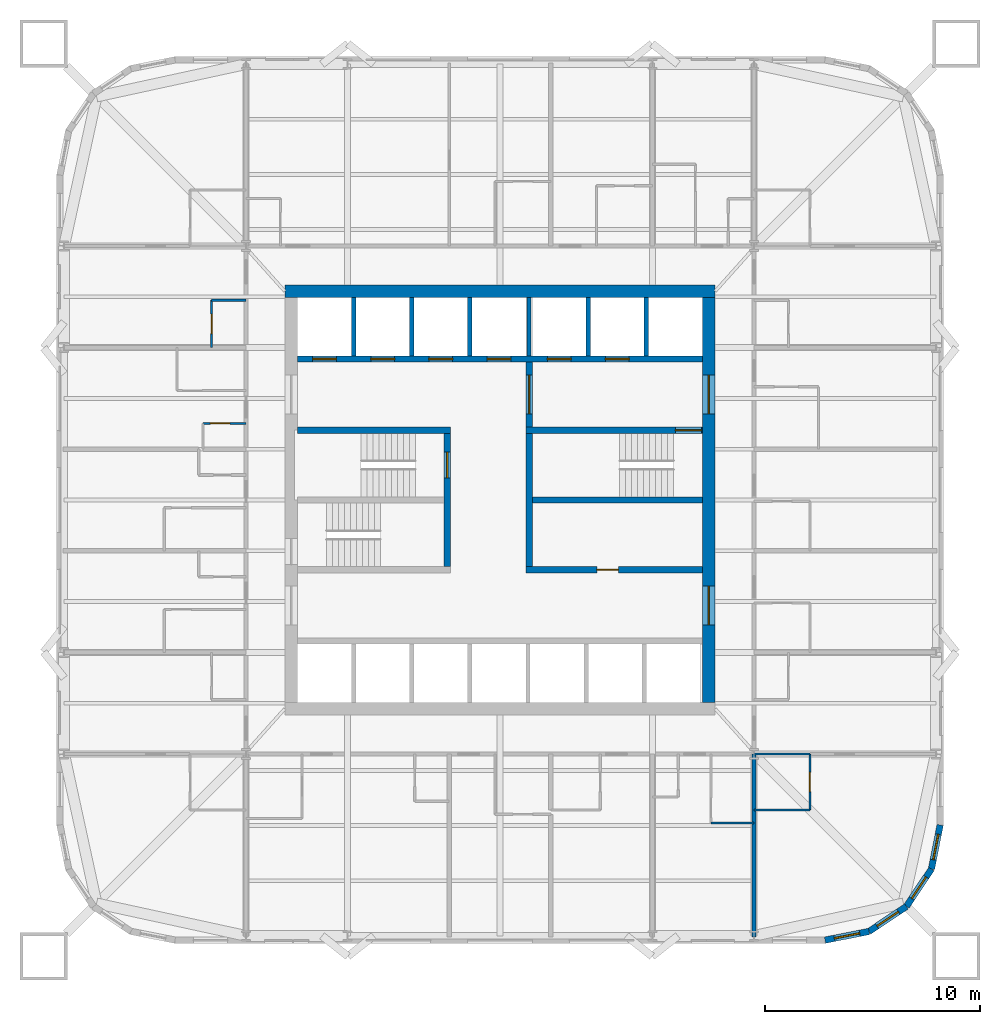
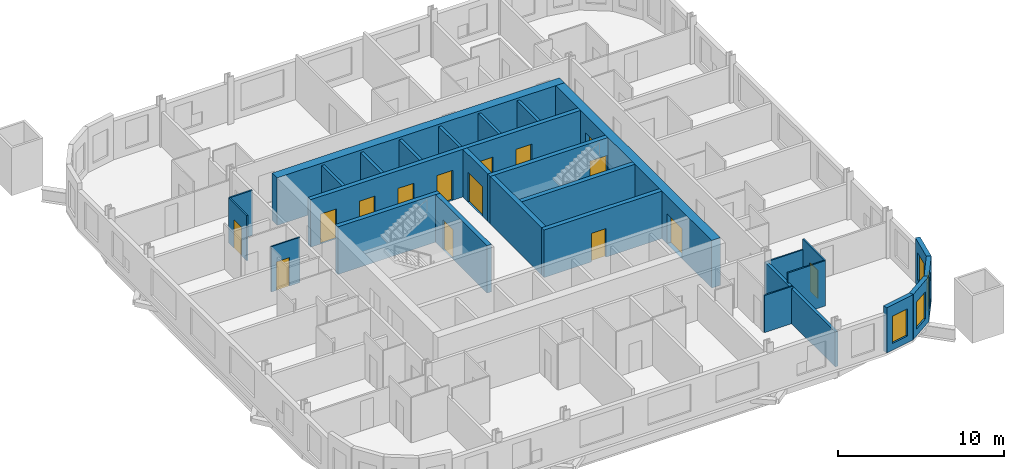
# One storey, part 5 of 9: 27 walls, 15 doors, 4 windows, 19 openings.
"""IFC4 building model written with IfcOpenShell, lengths in metres."""

from ifc_helpers import new_model, si_unit, direction, frame, frame_2d, origin, place, context, subcontext, project, spatial, rectangle, extrude, material, layer, layer_set, type_object, element, fill, save


model = new_model("IFC4")

# Units and contexts
model_context = context("Model", 3, precision=1e-05, world=origin(), true_north=direction((0.0, 1.0)))
body_context = subcontext(model_context, "Body", "Model", "MODEL_VIEW")
ifc_project = project(units=[si_unit("LENGTHUNIT", "METRE"), si_unit("AREAUNIT", "SQUARE_METRE"), si_unit("VOLUMEUNIT", "CUBIC_METRE"), si_unit("PLANEANGLEUNIT", "RADIAN"), si_unit("MASSUNIT", "GRAM", prefix="KILO")], contexts=[model_context])

# Site, building, storey
site_placement = place(None, origin())
site = spatial("IfcSite", under=ifc_project, at=site_placement, CompositionType="ELEMENT")
building_placement = place(site_placement, origin())
building = spatial("IfcBuilding", under=site, at=building_placement, Name="Turquesa Mirador Hotel Tower", CompositionType="ELEMENT")
storey_placement = place(building_placement, frame((0.0, 0.0, 135.39990234375)))
storey = spatial("IfcBuildingStorey", under=building, at=storey_placement, Name="L36", CompositionType="ELEMENT", Elevation=135.39990234375)

# Walls
ifc_material_1 = material(Name="Gypsum board on steel studs", Category="steel")
ifc_layer_1 = layer(ifc_material_1, 0.10009765625)
ifc_layer_set_1 = layer_set([ifc_layer_1], Name="BATHROOM WALL 100")
wall_type_1 = type_object("IfcWallType", Name="BATHROOM WALL 100", PredefinedType="PARTITIONING", material=ifc_layer_set_1)
wall_1_placement = place(storey_placement, frame((66.800048828125, 33.199951171875, 0.0), z_axis=(0.0, 0.0, 1.0), x_axis=(1.0, 0.0, 0.0)))
element("IfcWall", 1, at=wall_1_placement, inside=storey, type_object=wall_type_1, Name="Partition L36 004", PredefinedType="PARTITIONING", context=body_context, shape_type="SweptSolid", body=[
    extrude(rectangle(XDim=2.599853515625, YDim=0.10009765625, at=frame_2d((1.2998046875, 0.0))), origin(), (0.0, 0.0, 1.0), 2.5732421875),
])
wall_2_placement = place(storey_placement, frame((66.800048828125, 30.60009765625, 0.0), z_axis=(0.0, 0.0, 1.0), x_axis=(1.0, 0.0, 0.0)))
element("IfcWall", 2, at=wall_2_placement, inside=storey, type_object=wall_type_1, Name="Partition L36 012", PredefinedType="PARTITIONING", context=body_context, shape_type="SweptSolid", body=[
    extrude(rectangle(XDim=2.599853515625, YDim=0.10009765625, at=frame_2d((1.2998046875, 0.0))), origin(), (0.0, 0.0, 1.0), 3.330078125),
])
wall_3_placement = place(storey_placement, frame((64.800048828125, 30.0, 0.0), z_axis=(0.0, 0.0, 1.0), x_axis=(1.0, 0.0, 0.0)))
element("IfcWall", 3, at=wall_3_placement, inside=storey, type_object=wall_type_1, Name="Partition L36 015", PredefinedType="PARTITIONING", context=body_context, shape_type="SweptSolid", body=[
    extrude(rectangle(XDim=2.0, YDim=0.10009765625, at=frame_2d((1.0, 0.0))), origin(), (0.0, 0.0, 1.0), 2.730712890625),
])

# Wall, opening, door
wall_4_placement = place(storey_placement, frame((41.199951171875, 48.56005859375, 0.0), z_axis=(0.0, 0.0, 1.0), x_axis=(1.0, 0.0, 0.0)))
wall_4 = element("IfcWall", 4, at=wall_4_placement, inside=storey, type_object=wall_type_1, Name="Partition L36 041", PredefinedType="PARTITIONING", context=body_context, shape_type="SweptSolid", body=[
    extrude(rectangle(XDim=2.0, YDim=0.10009765625, at=frame_2d((1.0, 0.0))), origin(), (0.0, 0.0, 1.0), 3.330078125),
])
opening_1_placement = place(wall_4_placement, frame((0.35009765625, 0.0, 0.0)))
opening_1 = element("IfcOpeningElement", 5, at=opening_1_placement, cuts=wall_4, Name="Opening D06", PredefinedType="OPENING", context=body_context, shape_type="SweptSolid", body=[
    extrude(rectangle(XDim=0.89990234375, YDim=2.10009765625, at=frame_2d((0.449951171875, 1.050048828125))), frame((0.0, 0.06005859375, 0.0), z_axis=(0.0, -1.0, 0.0), x_axis=(1.0, 0.0, 0.0)), (0.0, 0.0, 1.0), 0.1201171875),
])
ifc_material_2 = material(Name="Laminate door", Category="wood")
door_type_1 = type_object("IfcDoorType", Name="DOOR 900X2100 WC", OperationType="SINGLE_SWING_LEFT", PredefinedType="DOOR", material=ifc_material_2)
door_1_placement = place(opening_1_placement, origin())
door_1 = element("IfcDoor", 6, at=door_1_placement, inside=storey, type_object=door_type_1, Name="Door 3613W", OperationType="SINGLE_SWING_LEFT", OverallHeight=2.10009765625, OverallWidth=0.89990234375, PredefinedType="DOOR", context=body_context, shape_type="SweptSolid", body=[
    extrude(rectangle(XDim=0.89990234375, YDim=2.10009765625, at=frame_2d((0.449951171875, 1.050048828125))), frame((0.0, 0.02490234375, 0.0), z_axis=(0.0, -1.0, 0.0), x_axis=(1.0, 0.0, 0.0)), (0.0, 0.0, 1.0), 0.050048828125),
])
fill(opening_1, door_1)

# Wall
wall_5_placement = place(storey_placement, frame((41.60009765625, 54.280029296875, 0.0), z_axis=(0.0, 0.0, 1.0), x_axis=(1.0, 0.0, 0.0)))
element("IfcWall", 7, at=wall_5_placement, inside=storey, type_object=wall_type_1, Name="Partition L36 046", PredefinedType="PARTITIONING", context=body_context, shape_type="SweptSolid", body=[
    extrude(rectangle(XDim=1.599853515625, YDim=0.10009765625, at=frame_2d((0.7998046875, 0.0))), origin(), (0.0, 0.0, 1.0), 3.330078125),
])

# Wall, opening, door
wall_6_placement = place(storey_placement, frame((41.60009765625, 52.080078125, 0.0), z_axis=(0.0, 0.0, 1.0), x_axis=(0.0, 1.0, 0.0)))
wall_6 = element("IfcWall", 8, at=wall_6_placement, inside=storey, type_object=wall_type_1, Name="Partition L36 055", PredefinedType="PARTITIONING", context=body_context, shape_type="SweptSolid", body=[
    extrude(rectangle(XDim=2.199951171875, YDim=0.10009765625, at=frame_2d((1.10009765625, 0.0))), origin(), (0.0, 0.0, 1.0), 3.330078125),
])
opening_2_placement = place(wall_6_placement, frame((0.64990234375, 0.0, 0.0)))
opening_2 = element("IfcOpeningElement", 9, at=opening_2_placement, cuts=wall_6, Name="Opening D06", PredefinedType="OPENING", context=body_context, shape_type="SweptSolid", body=[
    extrude(rectangle(XDim=0.89990234375, YDim=2.10009765625, at=frame_2d((0.449951171875, 1.050048828125))), frame((0.0, 0.06005859375, 0.0), z_axis=(0.0, -1.0, 0.0), x_axis=(1.0, 0.0, 0.0)), (0.0, 0.0, 1.0), 0.1201171875),
])
door_2_placement = place(opening_2_placement, origin())
door_2 = element("IfcDoor", 10, at=door_2_placement, inside=storey, type_object=door_type_1, Name="Door 3615W", OperationType="SINGLE_SWING_LEFT", OverallHeight=2.10009765625, OverallWidth=0.89990234375, PredefinedType="DOOR", context=body_context, shape_type="SweptSolid", body=[
    extrude(rectangle(XDim=0.89990234375, YDim=2.10009765625, at=frame_2d((0.449951171875, 1.050048828125))), frame((0.0, 0.02490234375, 0.0), z_axis=(0.0, -1.0, 0.0), x_axis=(1.0, 0.0, 0.0)), (0.0, 0.0, 1.0), 0.050048828125),
])
fill(opening_2, door_2)

wall_7_placement = place(storey_placement, frame((69.39990234375, 30.60009765625, 0.0), z_axis=(0.0, 0.0, 1.0), x_axis=(0.0, 1.0, 0.0)))
wall_7 = element("IfcWall", 11, at=wall_7_placement, inside=storey, type_object=wall_type_1, Name="Partition L36 074", PredefinedType="PARTITIONING", context=body_context, shape_type="SweptSolid", body=[
    extrude(rectangle(XDim=2.599853515625, YDim=0.10009765625, at=frame_2d((1.2998046875, 0.0))), origin(), (0.0, 0.0, 1.0), 3.330078125),
])
opening_3_placement = place(wall_7_placement, frame((0.85009765625, 0.0, 0.0)))
opening_3 = element("IfcOpeningElement", 12, at=opening_3_placement, cuts=wall_7, Name="Opening D02", PredefinedType="OPENING", context=body_context, shape_type="SweptSolid", body=[
    extrude(rectangle(XDim=0.89990234375, YDim=2.10009765625, at=frame_2d((0.449951171875, 1.050048828125))), frame((0.0, 0.06005859375, 0.0), z_axis=(0.0, -1.0, 0.0), x_axis=(1.0, 0.0, 0.0)), (0.0, 0.0, 1.0), 0.1201171875),
])
ifc_material_3 = material(Name="Timber veneered door", Category="wood")
door_type_2 = type_object("IfcDoorType", Name="DOOR 900X2100 EN-SUITE", OperationType="SINGLE_SWING_RIGHT", PredefinedType="DOOR", material=ifc_material_3)
door_3_placement = place(opening_3_placement, origin())
door_3 = element("IfcDoor", 13, at=door_3_placement, inside=storey, type_object=door_type_2, Name="Door 3617B", OperationType="SINGLE_SWING_RIGHT", OverallHeight=2.10009765625, OverallWidth=0.89990234375, PredefinedType="DOOR", context=body_context, shape_type="SweptSolid", body=[
    extrude(rectangle(XDim=0.89990234375, YDim=2.10009765625, at=frame_2d((0.449951171875, 1.050048828125))), frame((0.0, 0.02490234375, 0.0), z_axis=(0.0, -1.0, 0.0), x_axis=(1.0, 0.0, 0.0)), (0.0, 0.0, 1.0), 0.050048828125),
])
fill(opening_3, door_3)

# Wall, openings, doors
ifc_material_4 = material(Name="Concrete C50/60", Category="concrete")
ifc_layer_2 = layer(ifc_material_4, 0.300048828125)
ifc_layer_set_2 = layer_set([ifc_layer_2], Name="CORE INNER WALL 300")
wall_type_2 = type_object("IfcWallType", Name="CORE INNER WALL 300", PredefinedType="SHEAR", material=ifc_layer_set_2)
wall_8_placement = place(storey_placement, frame((45.60009765625, 51.550048828125, 0.0), z_axis=(0.0, 0.0, 1.0), x_axis=(1.0, 0.0, 0.0)))
wall_8 = element("IfcWall", 14, at=wall_8_placement, inside=storey, type_object=wall_type_2, Name="Core wall NL", PredefinedType="SHEAR", context=body_context, shape_type="SweptSolid", body=[
    extrude(rectangle(XDim=18.7998046875, YDim=0.300048828125, at=frame_2d((9.39990234375, 0.0))), origin(), (0.0, 0.0, 1.0), 3.5),
])
opening_4_placement = place(wall_8_placement, frame((0.699951171875, 0.0, 0.0)))
opening_4 = element("IfcOpeningElement", 15, at=opening_4_placement, cuts=wall_8, Name="Opening LD", PredefinedType="OPENING", context=body_context, shape_type="SweptSolid", body=[
    extrude(rectangle(XDim=1.10009765625, YDim=2.199951171875, at=frame_2d((0.550048828125, 1.10009765625))), frame((0.0, 0.159912109375, 0.0), z_axis=(0.0, -1.0, 0.0), x_axis=(1.0, 0.0, 0.0)), (0.0, 0.0, 1.0), 0.320068359375),
])
opening_5_placement = place(wall_8_placement, frame((3.39990234375, 0.0, 0.0)))
opening_5 = element("IfcOpeningElement", 16, at=opening_5_placement, cuts=wall_8, Name="Opening LD", PredefinedType="OPENING", context=body_context, shape_type="SweptSolid", body=[
    extrude(rectangle(XDim=1.10009765625, YDim=2.199951171875, at=frame_2d((0.550048828125, 1.10009765625))), frame((0.0, 0.159912109375, 0.0), z_axis=(0.0, -1.0, 0.0), x_axis=(1.0, 0.0, 0.0)), (0.0, 0.0, 1.0), 0.320068359375),
])
opening_6_placement = place(wall_8_placement, frame((6.10009765625, 0.0, 0.0)))
opening_6 = element("IfcOpeningElement", 17, at=opening_6_placement, cuts=wall_8, Name="Opening LD", PredefinedType="OPENING", context=body_context, shape_type="SweptSolid", body=[
    extrude(rectangle(XDim=1.10009765625, YDim=2.199951171875, at=frame_2d((0.550048828125, 1.10009765625))), frame((0.0, 0.159912109375, 0.0), z_axis=(0.0, -1.0, 0.0), x_axis=(1.0, 0.0, 0.0)), (0.0, 0.0, 1.0), 0.320068359375),
])
opening_7_placement = place(wall_8_placement, frame((8.800048828125, 0.0, 0.0)))
opening_7 = element("IfcOpeningElement", 18, at=opening_7_placement, cuts=wall_8, Name="Opening LD", PredefinedType="OPENING", context=body_context, shape_type="SweptSolid", body=[
    extrude(rectangle(XDim=1.10009765625, YDim=2.199951171875, at=frame_2d((0.550048828125, 1.10009765625))), frame((0.0, 0.159912109375, 0.0), z_axis=(0.0, -1.0, 0.0), x_axis=(1.0, 0.0, 0.0)), (0.0, 0.0, 1.0), 0.320068359375),
])
opening_8_placement = place(wall_8_placement, frame((11.60009765625, 0.0, 0.0)))
opening_8 = element("IfcOpeningElement", 19, at=opening_8_placement, cuts=wall_8, Name="Opening LD", PredefinedType="OPENING", context=body_context, shape_type="SweptSolid", body=[
    extrude(rectangle(XDim=1.10009765625, YDim=2.199951171875, at=frame_2d((0.550048828125, 1.10009765625))), frame((0.0, 0.159912109375, 0.0), z_axis=(0.0, -1.0, 0.0), x_axis=(1.0, 0.0, 0.0)), (0.0, 0.0, 1.0), 0.320068359375),
])
opening_9_placement = place(wall_8_placement, frame((14.300048828125, 0.0, 0.0)))
opening_9 = element("IfcOpeningElement", 20, at=opening_9_placement, cuts=wall_8, Name="Opening LD", PredefinedType="OPENING", context=body_context, shape_type="SweptSolid", body=[
    extrude(rectangle(XDim=1.10009765625, YDim=2.199951171875, at=frame_2d((0.550048828125, 1.10009765625))), frame((0.0, 0.159912109375, 0.0), z_axis=(0.0, -1.0, 0.0), x_axis=(1.0, 0.0, 0.0)), (0.0, 0.0, 1.0), 0.320068359375),
])
ifc_material_5 = material(Name="Stainless steel lift landing door", Category="steel")
door_type_3 = type_object("IfcDoorType", Name="LIFT LANDING DOOR 1100X2200", OperationType="SLIDING_TO_LEFT", PredefinedType="DOOR", material=ifc_material_5)
door_4_placement = place(opening_4_placement, origin())
door_4 = element("IfcDoor", 21, at=door_4_placement, inside=storey, type_object=door_type_3, Name="Lift A1 landing door", OperationType="SLIDING_TO_LEFT", OverallHeight=2.199951171875, OverallWidth=1.10009765625, PredefinedType="DOOR", context=body_context, shape_type="SweptSolid", body=[
    extrude(rectangle(XDim=1.10009765625, YDim=2.199951171875, at=frame_2d((0.550048828125, 1.10009765625))), frame((0.0, 0.02490234375, 0.0), z_axis=(0.0, -1.0, 0.0), x_axis=(1.0, 0.0, 0.0)), (0.0, 0.0, 1.0), 0.050048828125),
])
fill(opening_4, door_4)
door_5_placement = place(opening_5_placement, origin())
door_5 = element("IfcDoor", 22, at=door_5_placement, inside=storey, type_object=door_type_3, Name="Lift A2 landing door", OperationType="SLIDING_TO_LEFT", OverallHeight=2.199951171875, OverallWidth=1.10009765625, PredefinedType="DOOR", context=body_context, shape_type="SweptSolid", body=[
    extrude(rectangle(XDim=1.10009765625, YDim=2.199951171875, at=frame_2d((0.550048828125, 1.10009765625))), frame((0.0, 0.02490234375, 0.0), z_axis=(0.0, -1.0, 0.0), x_axis=(1.0, 0.0, 0.0)), (0.0, 0.0, 1.0), 0.050048828125),
])
fill(opening_5, door_5)
door_6_placement = place(opening_6_placement, origin())
door_6 = element("IfcDoor", 23, at=door_6_placement, inside=storey, type_object=door_type_3, Name="Lift A3 landing door", OperationType="SLIDING_TO_LEFT", OverallHeight=2.199951171875, OverallWidth=1.10009765625, PredefinedType="DOOR", context=body_context, shape_type="SweptSolid", body=[
    extrude(rectangle(XDim=1.10009765625, YDim=2.199951171875, at=frame_2d((0.550048828125, 1.10009765625))), frame((0.0, 0.02490234375, 0.0), z_axis=(0.0, -1.0, 0.0), x_axis=(1.0, 0.0, 0.0)), (0.0, 0.0, 1.0), 0.050048828125),
])
fill(opening_6, door_6)
door_7_placement = place(opening_7_placement, origin())
door_7 = element("IfcDoor", 24, at=door_7_placement, inside=storey, type_object=door_type_3, Name="Lift A4 landing door", OperationType="SLIDING_TO_LEFT", OverallHeight=2.199951171875, OverallWidth=1.10009765625, PredefinedType="DOOR", context=body_context, shape_type="SweptSolid", body=[
    extrude(rectangle(XDim=1.10009765625, YDim=2.199951171875, at=frame_2d((0.550048828125, 1.10009765625))), frame((0.0, 0.02490234375, 0.0), z_axis=(0.0, -1.0, 0.0), x_axis=(1.0, 0.0, 0.0)), (0.0, 0.0, 1.0), 0.050048828125),
])
fill(opening_7, door_7)
door_8_placement = place(opening_8_placement, origin())
door_8 = element("IfcDoor", 25, at=door_8_placement, inside=storey, type_object=door_type_3, Name="Lift S1 landing door", OperationType="SLIDING_TO_LEFT", OverallHeight=2.199951171875, OverallWidth=1.10009765625, PredefinedType="DOOR", context=body_context, shape_type="SweptSolid", body=[
    extrude(rectangle(XDim=1.10009765625, YDim=2.199951171875, at=frame_2d((0.550048828125, 1.10009765625))), frame((0.0, 0.02490234375, 0.0), z_axis=(0.0, -1.0, 0.0), x_axis=(1.0, 0.0, 0.0)), (0.0, 0.0, 1.0), 0.050048828125),
])
fill(opening_8, door_8)
door_9_placement = place(opening_9_placement, origin())
door_9 = element("IfcDoor", 26, at=door_9_placement, inside=storey, type_object=door_type_3, Name="Lift S2 landing door", OperationType="SLIDING_TO_LEFT", OverallHeight=2.199951171875, OverallWidth=1.10009765625, PredefinedType="DOOR", context=body_context, shape_type="SweptSolid", body=[
    extrude(rectangle(XDim=1.10009765625, YDim=2.199951171875, at=frame_2d((0.550048828125, 1.10009765625))), frame((0.0, 0.02490234375, 0.0), z_axis=(0.0, -1.0, 0.0), x_axis=(1.0, 0.0, 0.0)), (0.0, 0.0, 1.0), 0.050048828125),
])
fill(opening_9, door_9)

# Wall
wall_9_placement = place(storey_placement, frame((45.60009765625, 48.25, 0.0), z_axis=(0.0, 0.0, 1.0), x_axis=(1.0, 0.0, 0.0)))
element("IfcWall", 27, at=wall_9_placement, inside=storey, type_object=wall_type_2, Name="Core wall MN-W", PredefinedType="SHEAR", context=body_context, shape_type="SweptSolid", body=[
    extrude(rectangle(XDim=7.099853515625, YDim=0.300048828125, at=frame_2d((3.5498046875, 0.0))), origin(), (0.0, 0.0, 1.0), 3.5),
])

# Wall, opening, door
wall_10_placement = place(storey_placement, frame((56.199951171875, 48.25, 0.0), z_axis=(0.0, 0.0, 1.0), x_axis=(1.0, 0.0, 0.0)))
wall_10 = element("IfcWall", 28, at=wall_10_placement, inside=storey, type_object=wall_type_2, Name="Core wall MN-E", PredefinedType="SHEAR", context=body_context, shape_type="SweptSolid", body=[
    extrude(rectangle(XDim=8.199951171875, YDim=0.300048828125, at=frame_2d((4.10009765625, 0.0))), origin(), (0.0, 0.0, 1.0), 3.5),
])
opening_10_placement = place(wall_10_placement, frame((6.949951171875, 0.0, 0.0)))
opening_10 = element("IfcOpeningElement", 29, at=opening_10_placement, cuts=wall_10, Name="Opening D03", PredefinedType="OPENING", context=body_context, shape_type="SweptSolid", body=[
    extrude(rectangle(XDim=1.199951171875, YDim=2.199951171875, at=frame_2d((0.60009765625, 1.10009765625))), frame((0.0, 0.159912109375, 0.0), z_axis=(0.0, -1.0, 0.0), x_axis=(1.0, 0.0, 0.0)), (0.0, 0.0, 1.0), 0.320068359375),
])
ifc_material_6 = material(Name="Steel fire door", Category="steel")
door_type_4 = type_object("IfcDoorType", Name="DOOR 1200X2200 STAIR", OperationType="SINGLE_SWING_LEFT", PredefinedType="DOOR", material=ifc_material_6)
door_10_placement = place(opening_10_placement, origin())
door_10 = element("IfcDoor", 30, at=door_10_placement, inside=storey, type_object=door_type_4, Name="Stair ST3 door", OperationType="SINGLE_SWING_LEFT", OverallHeight=2.199951171875, OverallWidth=1.199951171875, PredefinedType="DOOR", context=body_context, shape_type="SweptSolid", body=[
    extrude(rectangle(XDim=1.199951171875, YDim=2.199951171875, at=frame_2d((0.60009765625, 1.10009765625))), frame((0.0, 0.02490234375, 0.0), z_axis=(0.0, -1.0, 0.0), x_axis=(1.0, 0.0, 0.0)), (0.0, 0.0, 1.0), 0.050048828125),
])
fill(opening_10, door_10)

wall_11_placement = place(storey_placement, frame((56.199951171875, 41.75, 0.0), z_axis=(0.0, 0.0, 1.0), x_axis=(1.0, 0.0, 0.0)))
wall_11 = element("IfcWall", 31, at=wall_11_placement, inside=storey, type_object=wall_type_2, Name="Core wall MS-E", PredefinedType="SHEAR", context=body_context, shape_type="SweptSolid", body=[
    extrude(rectangle(XDim=8.199951171875, YDim=0.300048828125, at=frame_2d((4.10009765625, 0.0))), origin(), (0.0, 0.0, 1.0), 3.5),
])
opening_11_placement = place(wall_11_placement, frame((3.300048828125, 0.0, 0.0)))
opening_11 = element("IfcOpeningElement", 32, at=opening_11_placement, cuts=wall_11, Name="Opening D05", PredefinedType="OPENING", context=body_context, shape_type="SweptSolid", body=[
    extrude(rectangle(XDim=1.0, YDim=2.10009765625, at=frame_2d((0.5, 1.050048828125))), frame((0.0, 0.159912109375, 0.0), z_axis=(0.0, -1.0, 0.0), x_axis=(1.0, 0.0, 0.0)), (0.0, 0.0, 1.0), 0.320068359375),
])
ifc_material_7 = material(Name="Steel fire door", Category="steel")
door_type_5 = type_object("IfcDoorType", Name="DOOR 1000X2100 SERVICE", OperationType="SINGLE_SWING_LEFT", PredefinedType="DOOR", material=ifc_material_7)
door_11_placement = place(opening_11_placement, origin())
door_11 = element("IfcDoor", 33, at=door_11_placement, inside=storey, type_object=door_type_5, Name="Housekeeping room door", OperationType="SINGLE_SWING_LEFT", OverallHeight=2.10009765625, OverallWidth=1.0, PredefinedType="DOOR", context=body_context, shape_type="SweptSolid", body=[
    extrude(rectangle(XDim=1.0, YDim=2.10009765625, at=frame_2d((0.5, 1.050048828125))), frame((0.0, 0.02490234375, 0.0), z_axis=(0.0, -1.0, 0.0), x_axis=(1.0, 0.0, 0.0)), (0.0, 0.0, 1.0), 0.050048828125),
])
fill(opening_11, door_11)

wall_12_placement = place(storey_placement, frame((52.550048828125, 41.89990234375, 0.0), z_axis=(0.0, 0.0, 1.0), x_axis=(0.0, 1.0, 0.0)))
wall_12 = element("IfcWall", 34, at=wall_12_placement, inside=storey, type_object=wall_type_2, Name="Core wall PW", PredefinedType="SHEAR", context=body_context, shape_type="SweptSolid", body=[
    extrude(rectangle(XDim=6.2001953125, YDim=0.300048828125, at=frame_2d((3.10009765625, 0.0))), origin(), (0.0, 0.0, 1.0), 3.5),
])
opening_12_placement = place(wall_12_placement, frame((4.125, 0.0, 0.0)))
opening_12 = element("IfcOpeningElement", 35, at=opening_12_placement, cuts=wall_12, Name="Opening D03", PredefinedType="OPENING", context=body_context, shape_type="SweptSolid", body=[
    extrude(rectangle(XDim=1.199951171875, YDim=2.199951171875, at=frame_2d((0.60009765625, 1.10009765625))), frame((0.0, 0.159912109375, 0.0), z_axis=(0.0, -1.0, 0.0), x_axis=(1.0, 0.0, 0.0)), (0.0, 0.0, 1.0), 0.320068359375),
])
door_12_placement = place(opening_12_placement, origin())
door_12 = element("IfcDoor", 36, at=door_12_placement, inside=storey, type_object=door_type_4, Name="Stair ST1 door", OperationType="SINGLE_SWING_LEFT", OverallHeight=2.199951171875, OverallWidth=1.199951171875, PredefinedType="DOOR", context=body_context, shape_type="SweptSolid", body=[
    extrude(rectangle(XDim=1.199951171875, YDim=2.199951171875, at=frame_2d((0.60009765625, 1.10009765625))), frame((0.0, 0.02490234375, 0.0), z_axis=(0.0, -1.0, 0.0), x_axis=(1.0, 0.0, 0.0)), (0.0, 0.0, 1.0), 0.050048828125),
])
fill(opening_12, door_12)

wall_13_placement = place(storey_placement, frame((56.35009765625, 41.89990234375, 0.0), z_axis=(0.0, 0.0, 1.0), x_axis=(0.0, 1.0, 0.0)))
wall_13 = element("IfcWall", 37, at=wall_13_placement, inside=storey, type_object=wall_type_2, Name="Core wall PE", PredefinedType="SHEAR", context=body_context, shape_type="SweptSolid", body=[
    extrude(rectangle(XDim=9.5, YDim=0.300048828125, at=frame_2d((4.75, 0.0))), origin(), (0.0, 0.0, 1.0), 3.5),
])
opening_13_placement = place(wall_13_placement, frame((7.10009765625, 0.0, 0.0)))
opening_13 = element("IfcOpeningElement", 38, at=opening_13_placement, cuts=wall_13, Name="Opening D04", PredefinedType="OPENING", context=body_context, shape_type="SweptSolid", body=[
    extrude(rectangle(XDim=1.800048828125, YDim=2.199951171875, at=frame_2d((0.89990234375, 1.10009765625))), frame((0.0, 0.159912109375, 0.0), z_axis=(0.0, -1.0, 0.0), x_axis=(1.0, 0.0, 0.0)), (0.0, 0.0, 1.0), 0.320068359375),
])
ifc_material_8 = material(Name="Steel fire door pair", Category="steel")
door_type_6 = type_object("IfcDoorType", Name="DOOR 1800X2200 PAIR", OperationType="DOUBLE_DOOR_SINGLE_SWING", PredefinedType="DOOR", material=ifc_material_8)
door_13_placement = place(opening_13_placement, origin())
door_13 = element("IfcDoor", 39, at=door_13_placement, inside=storey, type_object=door_type_6, Name="Firefighting lobby inner door", OperationType="DOUBLE_DOOR_SINGLE_SWING", OverallHeight=2.199951171875, OverallWidth=1.800048828125, PredefinedType="DOOR", context=body_context, shape_type="SweptSolid", body=[
    extrude(rectangle(XDim=1.800048828125, YDim=2.199951171875, at=frame_2d((0.89990234375, 1.10009765625))), frame((0.0, 0.02490234375, 0.0), z_axis=(0.0, -1.0, 0.0), x_axis=(1.0, 0.0, 0.0)), (0.0, 0.0, 1.0), 0.050048828125),
])
fill(opening_13, door_13)

# Walls
wall_14_placement = place(storey_placement, frame((56.5, 45.0, 0.0), z_axis=(0.0, 0.0, 1.0), x_axis=(1.0, 0.0, 0.0)))
element("IfcWall", 40, at=wall_14_placement, inside=storey, type_object=wall_type_2, Name="Core wall M0-E", PredefinedType="SHEAR", context=body_context, shape_type="SweptSolid", body=[
    extrude(rectangle(XDim=7.89990234375, YDim=0.300048828125, at=frame_2d((3.949951171875, 0.0))), origin(), (0.0, 0.0, 1.0), 3.5),
])
ifc_material_9 = material(Name="Concrete C50/60", Category="concrete")
ifc_layer_3 = layer(ifc_material_9, 0.60009765625)
ifc_layer_set_3 = layer_set([ifc_layer_3], Name="CORE WALL 600")
wall_type_3 = type_object("IfcWallType", Name="CORE WALL 600", PredefinedType="SHEAR", material=ifc_layer_set_3)
wall_15_placement = place(storey_placement, frame((45.0, 54.699951171875, 0.0), z_axis=(0.0, 0.0, 1.0), x_axis=(1.0, 0.0, 0.0)))
element("IfcWall", 41, at=wall_15_placement, inside=storey, type_object=wall_type_3, Name="Core wall N", PredefinedType="SHEAR", context=body_context, shape_type="SweptSolid", body=[
    extrude(rectangle(XDim=20.0, YDim=0.60009765625, at=frame_2d((10.0, 0.0))), origin(), (0.0, 0.0, 1.0), 3.5),
])

# Wall, openings, doors
wall_16_placement = place(storey_placement, frame((64.699951171875, 35.60009765625, 0.0), z_axis=(0.0, 0.0, 1.0), x_axis=(0.0, 1.0, 0.0)))
wall_16 = element("IfcWall", 42, at=wall_16_placement, inside=storey, type_object=wall_type_3, Name="Core wall E", PredefinedType="SHEAR", context=body_context, shape_type="SweptSolid", body=[
    extrude(rectangle(XDim=18.7998046875, YDim=0.60009765625, at=frame_2d((9.39990234375, 0.0))), origin(), (0.0, 0.0, 1.0), 3.5),
])
opening_14_placement = place(wall_16_placement, frame((13.39990234375, 0.0, 0.0)))
opening_14 = element("IfcOpeningElement", 43, at=opening_14_placement, cuts=wall_16, Name="Opening D04", PredefinedType="OPENING", context=body_context, shape_type="SweptSolid", body=[
    extrude(rectangle(XDim=1.800048828125, YDim=2.199951171875, at=frame_2d((0.89990234375, 1.10009765625))), frame((0.0, 0.31005859375, 0.0), z_axis=(0.0, -1.0, 0.0), x_axis=(1.0, 0.0, 0.0)), (0.0, 0.0, 1.0), 0.6201171875),
])
opening_15_placement = place(wall_16_placement, frame((3.60009765625, 0.0, 0.0)))
opening_15 = element("IfcOpeningElement", 44, at=opening_15_placement, cuts=wall_16, Name="Opening D04", PredefinedType="OPENING", context=body_context, shape_type="SweptSolid", body=[
    extrude(rectangle(XDim=1.800048828125, YDim=2.199951171875, at=frame_2d((0.89990234375, 1.10009765625))), frame((0.0, 0.31005859375, 0.0), z_axis=(0.0, -1.0, 0.0), x_axis=(1.0, 0.0, 0.0)), (0.0, 0.0, 1.0), 0.6201171875),
])
door_14_placement = place(opening_14_placement, origin())
door_14 = element("IfcDoor", 45, at=door_14_placement, inside=storey, type_object=door_type_6, Name="Firefighting lobby door", OperationType="DOUBLE_DOOR_SINGLE_SWING", OverallHeight=2.199951171875, OverallWidth=1.800048828125, PredefinedType="DOOR", context=body_context, shape_type="SweptSolid", body=[
    extrude(rectangle(XDim=1.800048828125, YDim=2.199951171875, at=frame_2d((0.89990234375, 1.10009765625))), frame((0.0, 0.02490234375, 0.0), z_axis=(0.0, -1.0, 0.0), x_axis=(1.0, 0.0, 0.0)), (0.0, 0.0, 1.0), 0.050048828125),
])
fill(opening_14, door_14)
door_15_placement = place(opening_15_placement, origin())
door_15 = element("IfcDoor", 46, at=door_15_placement, inside=storey, type_object=door_type_6, Name="South lift lobby door", OperationType="DOUBLE_DOOR_SINGLE_SWING", OverallHeight=2.199951171875, OverallWidth=1.800048828125, PredefinedType="DOOR", context=body_context, shape_type="SweptSolid", body=[
    extrude(rectangle(XDim=1.800048828125, YDim=2.199951171875, at=frame_2d((0.89990234375, 1.10009765625))), frame((0.0, 0.02490234375, 0.0), z_axis=(0.0, -1.0, 0.0), x_axis=(1.0, 0.0, 0.0)), (0.0, 0.0, 1.0), 0.050048828125),
])
fill(opening_15, door_15)

# Wall, opening, window
ifc_material_10 = material(Name="Limestone cladding on concrete block", Category="masonry")
ifc_layer_4 = layer(ifc_material_10, 0.300048828125)
ifc_layer_set_4 = layer_set([ifc_layer_4], Name="FACADE WALL 300 STONE SCREEN")
wall_type_4 = type_object("IfcWallType", Name="FACADE WALL 300 STONE SCREEN", PredefinedType="SOLIDWALL", material=ifc_layer_set_4)
wall_17_placement = place(storey_placement, frame((70.10009765625, 24.550048828125, 0.0), z_axis=(0.0, 0.0, 1.0), x_axis=(0.980787050784, 0.195081421501, 0.0)))
wall_17 = element("IfcWall", 47, at=wall_17_placement, inside=storey, type_object=wall_type_4, Name="Facade wall L36 00", PredefinedType="SOLIDWALL", context=body_context, shape_type="SweptSolid", body=[
    extrude(rectangle(XDim=2.08740234375, YDim=0.300048828125, at=frame_2d((1.043701171875, 0.0))), origin(), (0.0, 0.0, 1.0), 3.330078125),
])
opening_16_placement = place(wall_17_placement, frame((0.443603515625, 0.0, 0.5)))
opening_16 = element("IfcOpeningElement", 48, at=opening_16_placement, cuts=wall_17, Name="Opening WN4", PredefinedType="OPENING", context=body_context, shape_type="SweptSolid", body=[
    extrude(rectangle(XDim=1.199951171875, YDim=2.0, at=frame_2d((0.60009765625, 1.0))), frame((0.0, 0.159912109375, 0.0), z_axis=(0.0, -1.0, 0.0), x_axis=(1.0, 0.0, 0.0)), (0.0, 0.0, 1.0), 0.320068359375),
])
ifc_material_11 = material(Name="Ceramic-fritted laminated glass", Category="glass")
window_type = type_object("IfcWindowType", Name="FRITTED CORNER WINDOW 1200X2000", PartitioningType="DOUBLE_PANEL_HORIZONTAL", PredefinedType="WINDOW", material=ifc_material_11)
window_1_placement = place(opening_16_placement, origin())
window_1 = element("IfcWindow", 49, at=window_1_placement, inside=storey, type_object=window_type, Name="Window L36", OverallHeight=2.0, OverallWidth=1.199951171875, PartitioningType="SINGLE_PANEL", PredefinedType="WINDOW", context=body_context, shape_type="SweptSolid", body=[
    extrude(rectangle(XDim=1.199951171875, YDim=2.0, at=frame_2d((0.60009765625, 1.0))), frame((0.0, 0.030029296875, 0.0), z_axis=(0.0, -1.0, 0.0), x_axis=(1.0, 0.0, 0.0)), (0.0, 0.0, 1.0), 0.06005859375),
])
fill(opening_16, window_1)

wall_18_placement = place(storey_placement, frame((72.1474609375, 24.957275390625, 0.0), z_axis=(0.0, 0.0, 1.0), x_axis=(0.831474039234, 0.555563607591, 0.0)))
wall_18 = element("IfcWall", 50, at=wall_18_placement, inside=storey, type_object=wall_type_4, Name="Facade wall L36 01", PredefinedType="SOLIDWALL", context=body_context, shape_type="SweptSolid", body=[
    extrude(rectangle(XDim=2.08740234375, YDim=0.300048828125, at=frame_2d((1.043701171875, 0.0))), origin(), (0.0, 0.0, 1.0), 3.330078125),
])
opening_17_placement = place(wall_18_placement, frame((0.443603515625, 0.0, 0.5)))
opening_17 = element("IfcOpeningElement", 51, at=opening_17_placement, cuts=wall_18, Name="Opening WN4", PredefinedType="OPENING", context=body_context, shape_type="SweptSolid", body=[
    extrude(rectangle(XDim=1.199951171875, YDim=2.0, at=frame_2d((0.60009765625, 1.0))), frame((0.0, 0.159912109375, 0.0), z_axis=(0.0, -1.0, 0.0), x_axis=(1.0, 0.0, 0.0)), (0.0, 0.0, 1.0), 0.320068359375),
])
window_2_placement = place(opening_17_placement, origin())
window_2 = element("IfcWindow", 52, at=window_2_placement, inside=storey, type_object=window_type, Name="Window L36", OverallHeight=2.0, OverallWidth=1.199951171875, PartitioningType="SINGLE_PANEL", PredefinedType="WINDOW", context=body_context, shape_type="SweptSolid", body=[
    extrude(rectangle(XDim=1.199951171875, YDim=2.0, at=frame_2d((0.60009765625, 1.0))), frame((0.0, 0.030029296875, 0.0), z_axis=(0.0, -1.0, 0.0), x_axis=(1.0, 0.0, 0.0)), (0.0, 0.0, 1.0), 0.06005859375),
])
fill(opening_17, window_2)

wall_19_placement = place(storey_placement, frame((73.883056640625, 26.116943359375, 0.0), z_axis=(0.0, 0.0, 1.0), x_axis=(0.555563607591, 0.831474039234, 0.0)))
wall_19 = element("IfcWall", 53, at=wall_19_placement, inside=storey, type_object=wall_type_4, Name="Facade wall L36 02", PredefinedType="SOLIDWALL", context=body_context, shape_type="SweptSolid", body=[
    extrude(rectangle(XDim=2.08740234375, YDim=0.300048828125, at=frame_2d((1.043701171875, 0.0))), origin(), (0.0, 0.0, 1.0), 3.330078125),
])
opening_18_placement = place(wall_19_placement, frame((0.443603515625, 0.0, 0.5)))
opening_18 = element("IfcOpeningElement", 54, at=opening_18_placement, cuts=wall_19, Name="Opening WN4", PredefinedType="OPENING", context=body_context, shape_type="SweptSolid", body=[
    extrude(rectangle(XDim=1.199951171875, YDim=2.0, at=frame_2d((0.60009765625, 1.0))), frame((0.0, 0.159912109375, 0.0), z_axis=(0.0, -1.0, 0.0), x_axis=(1.0, 0.0, 0.0)), (0.0, 0.0, 1.0), 0.320068359375),
])
window_3_placement = place(opening_18_placement, origin())
window_3 = element("IfcWindow", 55, at=window_3_placement, inside=storey, type_object=window_type, Name="Window L36", OverallHeight=2.0, OverallWidth=1.199951171875, PartitioningType="SINGLE_PANEL", PredefinedType="WINDOW", context=body_context, shape_type="SweptSolid", body=[
    extrude(rectangle(XDim=1.199951171875, YDim=2.0, at=frame_2d((0.60009765625, 1.0))), frame((0.0, 0.030029296875, 0.0), z_axis=(0.0, -1.0, 0.0), x_axis=(1.0, 0.0, 0.0)), (0.0, 0.0, 1.0), 0.06005859375),
])
fill(opening_18, window_3)

wall_20_placement = place(storey_placement, frame((75.042724609375, 27.8525390625, 0.0), z_axis=(0.0, 0.0, 1.0), x_axis=(0.195081421501, 0.980787050784, 0.0)))
wall_20 = element("IfcWall", 56, at=wall_20_placement, inside=storey, type_object=wall_type_4, Name="Facade wall L36 03", PredefinedType="SOLIDWALL", context=body_context, shape_type="SweptSolid", body=[
    extrude(rectangle(XDim=2.08740234375, YDim=0.300048828125, at=frame_2d((1.043701171875, 0.0))), origin(), (0.0, 0.0, 1.0), 3.330078125),
])
opening_19_placement = place(wall_20_placement, frame((0.443603515625, 0.0, 0.5)))
opening_19 = element("IfcOpeningElement", 57, at=opening_19_placement, cuts=wall_20, Name="Opening WN4", PredefinedType="OPENING", context=body_context, shape_type="SweptSolid", body=[
    extrude(rectangle(XDim=1.199951171875, YDim=2.0, at=frame_2d((0.60009765625, 1.0))), frame((0.0, 0.159912109375, 0.0), z_axis=(0.0, -1.0, 0.0), x_axis=(1.0, 0.0, 0.0)), (0.0, 0.0, 1.0), 0.320068359375),
])
window_4_placement = place(opening_19_placement, origin())
window_4 = element("IfcWindow", 58, at=window_4_placement, inside=storey, type_object=window_type, Name="Window L36", OverallHeight=2.0, OverallWidth=1.199951171875, PartitioningType="SINGLE_PANEL", PredefinedType="WINDOW", context=body_context, shape_type="SweptSolid", body=[
    extrude(rectangle(XDim=1.199951171875, YDim=2.0, at=frame_2d((0.60009765625, 1.0))), frame((0.0, 0.030029296875, 0.0), z_axis=(0.0, -1.0, 0.0), x_axis=(1.0, 0.0, 0.0)), (0.0, 0.0, 1.0), 0.06005859375),
])
fill(opening_19, window_4)

# Walls
ifc_material_12 = material(Name="Fire-rated gypsum shaft wall on steel studs", Category="steel")
ifc_layer_5 = layer(ifc_material_12, 0.199951171875)
ifc_layer_set_5 = layer_set([ifc_layer_5], Name="LIFT SHAFT DIVIDER 200")
wall_type_5 = type_object("IfcWallType", Name="LIFT SHAFT DIVIDER 200", PredefinedType="PARTITIONING", material=ifc_layer_set_5)
for number, where, z_axis, x_axis, name in (
    (59, (48.199951171875, 51.699951171875, 0.0), (0.0, 0.0, 1.0), (0.0, 1.0, 0.0), "Lift shaft divider"),
    (60, (50.89990234375, 51.699951171875, 0.0), (0.0, 0.0, 1.0), (0.0, 1.0, 0.0), "Lift shaft divider"),
    (61, (53.60009765625, 51.699951171875, 0.0), (0.0, 0.0, 1.0), (0.0, 1.0, 0.0), "Lift shaft divider"),
    (62, (59.10009765625, 51.699951171875, 0.0), (0.0, 0.0, 1.0), (0.0, 1.0, 0.0), "Lift shaft divider"),
    (63, (61.800048828125, 51.699951171875, 0.0), (0.0, 0.0, 1.0), (0.0, 1.0, 0.0), "Lift shaft divider"),
    (64, (56.35009765625, 51.699951171875, 0.0), (0.0, 0.0, 1.0), (0.0, 1.0, 0.0), "Lift shaft divider"),
):
    element("IfcWall", number, at=place(storey_placement, frame(where, z_axis=z_axis, x_axis=x_axis)), inside=storey, type_object=wall_type_5, Name=name, PredefinedType="PARTITIONING", context=body_context, shape_type="SweptSolid", body=[
        extrude(rectangle(XDim=2.699951171875, YDim=0.199951171875, at=frame_2d((1.35009765625, 0.0))), origin(), (0.0, 0.0, 1.0), 3.330078125),
    ])
ifc_material_13 = material(Name="Fire-rated gypsum board on steel studs", Category="steel")
ifc_layer_6 = layer(ifc_material_13, 0.199951171875)
ifc_layer_set_6 = layer_set([ifc_layer_6], Name="PARTY WALL 200")
wall_type_6 = type_object("IfcWallType", Name="PARTY WALL 200", PredefinedType="PARTITIONING", material=ifc_layer_set_6)
wall_21_placement = place(storey_placement, frame((66.800048828125, 24.699951171875, 0.0), z_axis=(0.0, 0.0, 1.0), x_axis=(0.0, 1.0, 0.0)))
element("IfcWall", 65, at=wall_21_placement, inside=storey, type_object=wall_type_6, Name="Partition L36 070", PredefinedType="PARTITIONING", context=body_context, shape_type="SweptSolid", body=[
    extrude(rectangle(XDim=8.5, YDim=0.199951171875, at=frame_2d((4.25, 0.0))), origin(), (0.0, 0.0, 1.0), 2.5732421875),
])

save(model, "model.ifc")
